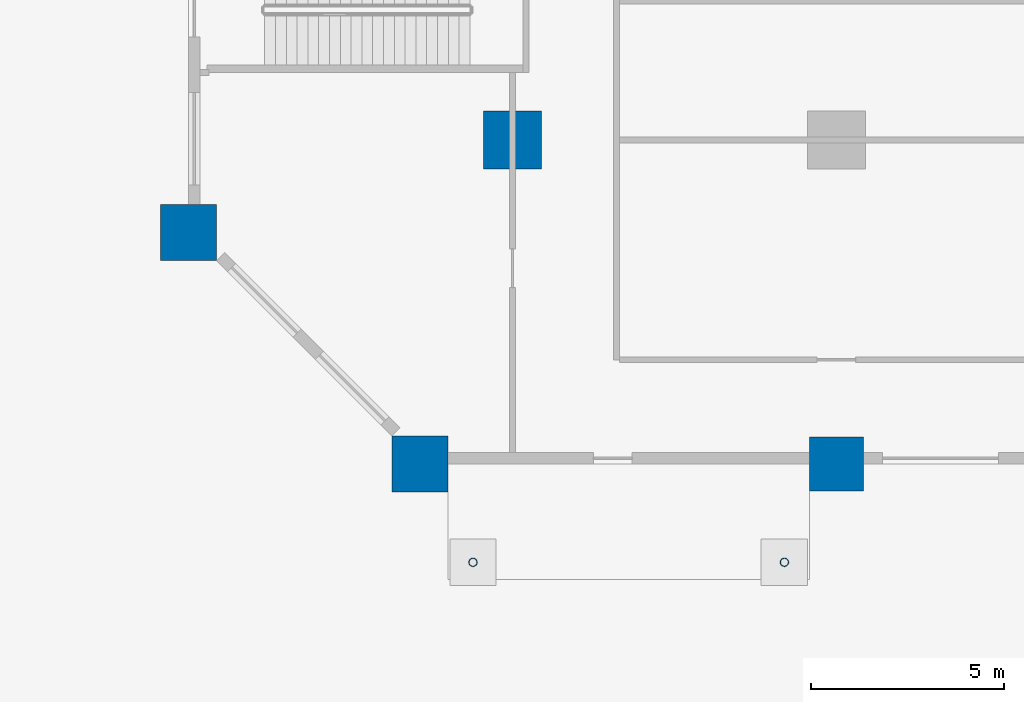
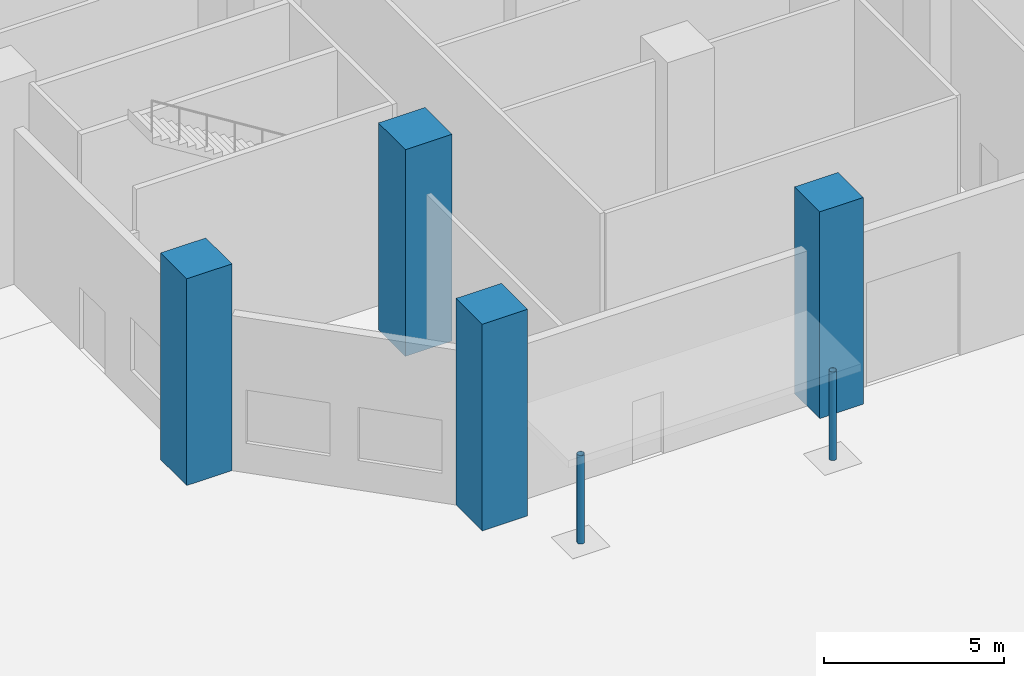
# One storey, part 2 of 32: 6 columns.
"""IFC4 building model written with IfcOpenShell, lengths in metres."""

from ifc_helpers import new_model, si_unit, direction, frame, origin, origin_2d, place, context, subcontext, project, spatial, rectangle, hollow_circle, extrude, material, material_profile, profile_set, type_object, element, save


model = new_model("IFC4")

# Units and contexts
model_context = context("Model", 3, precision=1e-05, world=origin(), true_north=direction((0.0, 1.0)))
body_context = subcontext(model_context, "Body", "Model", "MODEL_VIEW")
ifc_project = project(units=[si_unit("LENGTHUNIT", "METRE"), si_unit("AREAUNIT", "SQUARE_METRE"), si_unit("VOLUMEUNIT", "CUBIC_METRE"), si_unit("PLANEANGLEUNIT", "RADIAN"), si_unit("MASSUNIT", "GRAM", prefix="KILO")], contexts=[model_context])

# Site, building, storey
site_placement = place(None, origin())
site = spatial("IfcSite", under=ifc_project, at=site_placement, CompositionType="ELEMENT")
building_placement = place(site_placement, origin())
building = spatial("IfcBuilding", under=site, at=building_placement, Name="Kawkab Arch Medical Tower", CompositionType="ELEMENT")
storey_placement = place(building_placement, origin())
storey = spatial("IfcBuildingStorey", under=building, at=storey_placement, Name="L01", CompositionType="ELEMENT", Elevation=0.0)

# Columns
ifc_material_1 = material(Name="Steel S355", Category="steel")
ifc_material_profile_1 = material_profile(ifc_material_1, hollow_circle(Radius=0.109619140625, WallThickness=0.010009765625, at=origin_2d()), Name="CHS 219.1x10")
ifc_profile_set_1 = profile_set([ifc_material_profile_1], Name="Steel S355")
column_type_1 = type_object("IfcColumnType", Name="Canopy column CHS 219.1x10", PredefinedType="COLUMN", material=ifc_profile_set_1)
for number, where, z_axis, x_axis, name in (
    (1, (7.375, -86.550048828125, 0.0), (0.0, 0.0, 1.0), (1.0, 0.0, 0.0), "Canopy, staff entrance column 1"),
    (2, (15.449951171875, -86.550048828125, 0.0), (0.0, 0.0, 1.0), (1.0, 0.0, 0.0), "Canopy, staff entrance column 2"),
):
    element("IfcColumn", number, at=place(storey_placement, frame(where, z_axis=z_axis, x_axis=x_axis)), inside=storey, type_object=column_type_1, Name=name, PredefinedType="COLUMN", context=body_context, shape_type="SweptSolid", body=[
        extrude(hollow_circle(Radius=0.109619140625, WallThickness=0.010009765625, at=origin_2d()), origin(), (0.0, 0.0, 1.0), 3.0),
    ])
ifc_material_2 = material(Name="Concrete C60/75", Category="concrete")
ifc_material_profile_2 = material_profile(ifc_material_2, rectangle(XDim=1.39990234375, YDim=1.39990234375, at=origin_2d()), Name="RC 1400x1400")
ifc_profile_set_2 = profile_set([ifc_material_profile_2], Name="Concrete C60/75")
column_type_2 = type_object("IfcColumnType", Name="RC 1400x1400 column C60/75", PredefinedType="COLUMN", material=ifc_profile_set_2)
column_1_placement = place(storey_placement, frame((16.800048828125, -84.0, 0.0), z_axis=(0.0, 0.0, 1.0), x_axis=(1.0, 0.0, 0.0)))
element("IfcColumn", 3, at=column_1_placement, inside=storey, type_object=column_type_2, Name="Column RC 1400x1400", PredefinedType="COLUMN", context=body_context, shape_type="SweptSolid", body=[
    extrude(rectangle(XDim=1.39990234375, YDim=1.39990234375, at=origin_2d()), origin(), (0.0, 0.0, 1.0), 7.0),
])
ifc_material_3 = material(Name="Concrete C60/75", Category="concrete")
ifc_material_profile_3 = material_profile(ifc_material_3, rectangle(XDim=1.449951171875, YDim=1.449951171875, at=origin_2d()), Name="RC 1450x1450")
ifc_profile_set_3 = profile_set([ifc_material_profile_3], Name="Concrete C60/75")
column_type_3 = type_object("IfcColumnType", Name="RC 1450x1450 column C60/75", PredefinedType="COLUMN", material=ifc_profile_set_3)
for number, where, z_axis, x_axis, name in (
    (4, (0.0, -78.0, 0.0), (0.0, 0.0, 1.0), (1.0, 0.0, 0.0), "Column RC 1450x1450"),
    (5, (6.0, -84.0, 0.0), (0.0, 0.0, 1.0), (1.0, 0.0, 0.0), "Column RC 1450x1450"),
):
    element("IfcColumn", number, at=place(storey_placement, frame(where, z_axis=z_axis, x_axis=x_axis)), inside=storey, type_object=column_type_3, Name=name, PredefinedType="COLUMN", context=body_context, shape_type="SweptSolid", body=[
        extrude(rectangle(XDim=1.449951171875, YDim=1.449951171875, at=origin_2d()), origin(), (0.0, 0.0, 1.0), 7.0),
    ])
ifc_material_4 = material(Name="Concrete C60/75", Category="concrete")
ifc_material_profile_4 = material_profile(ifc_material_4, rectangle(XDim=1.5, YDim=1.5, at=origin_2d()), Name="RC 1500x1500")
ifc_profile_set_4 = profile_set([ifc_material_profile_4], Name="Concrete C60/75")
column_type_4 = type_object("IfcColumnType", Name="RC 1500x1500 column C60/75", PredefinedType="COLUMN", material=ifc_profile_set_4)
column_2_placement = place(storey_placement, frame((8.39990234375, -75.60009765625, 0.0), z_axis=(0.0, 0.0, 1.0), x_axis=(1.0, 0.0, 0.0)))
element("IfcColumn", 6, at=column_2_placement, inside=storey, type_object=column_type_4, Name="Column RC 1500x1500", PredefinedType="COLUMN", context=body_context, shape_type="SweptSolid", body=[
    extrude(rectangle(XDim=1.5, YDim=1.5, at=origin_2d()), origin(), (0.0, 0.0, 1.0), 7.0),
])

save(model, "model.ifc")
